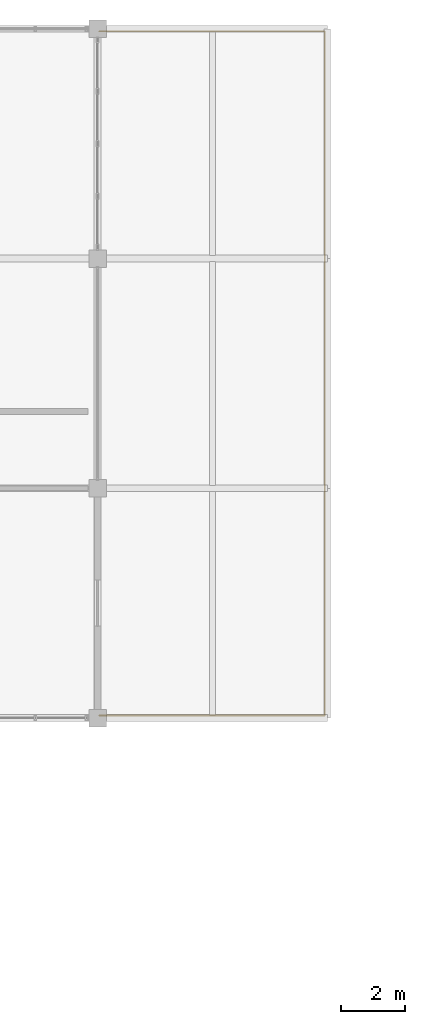
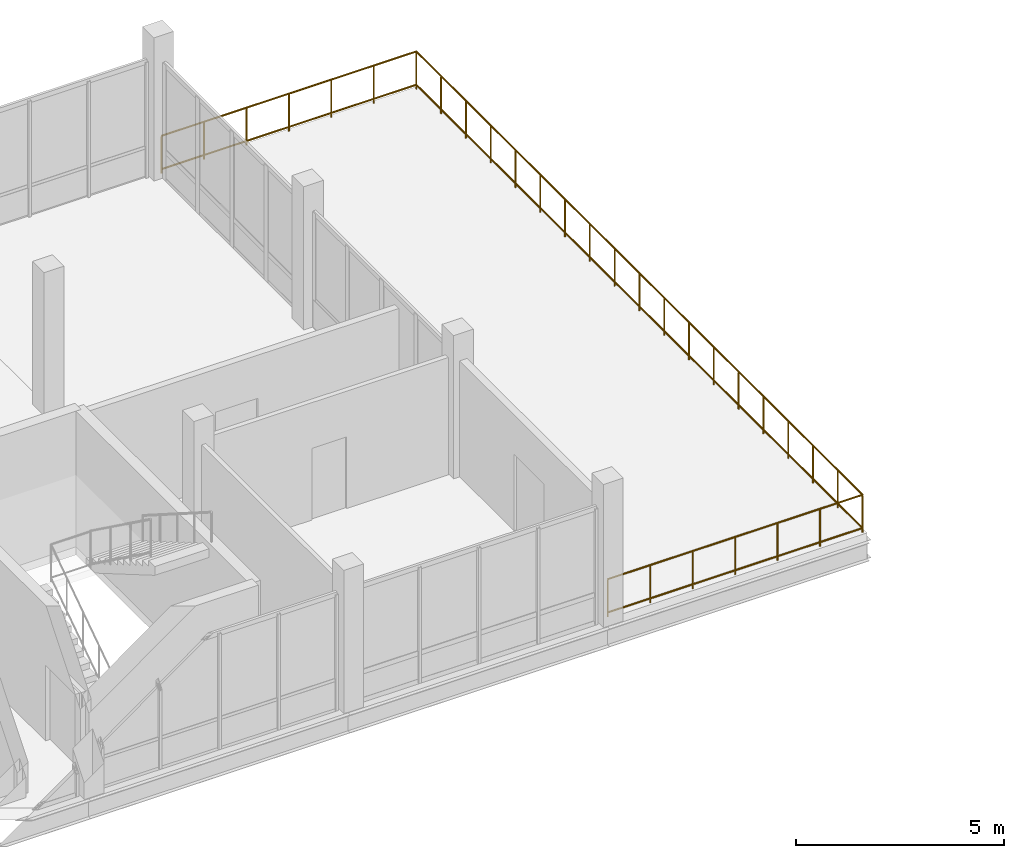
# One storey, part 47 of 47: 1 railing.
"""IFC4 building model written with IfcOpenShell, lengths in metres."""

from ifc_helpers import new_model, si_unit, direction, frame, origin, origin_2d, place, context, subcontext, project, spatial, circle, extrude, material, type_object, element, save


model = new_model("IFC4")

# Units and contexts
model_context = context("Model", 3, precision=1e-05, world=origin(), true_north=direction((0.0, 1.0)))
body_context = subcontext(model_context, "Body", "Model", "MODEL_VIEW")
ifc_project = project(units=[si_unit("LENGTHUNIT", "METRE"), si_unit("AREAUNIT", "SQUARE_METRE"), si_unit("VOLUMEUNIT", "CUBIC_METRE"), si_unit("PLANEANGLEUNIT", "RADIAN"), si_unit("MASSUNIT", "GRAM", prefix="KILO")], contexts=[model_context])

# Site, building, storey
site_placement = place(None, origin())
site = spatial("IfcSite", under=ifc_project, at=site_placement, CompositionType="ELEMENT")
building_placement = place(site_placement, origin())
building = spatial("IfcBuilding", under=site, at=building_placement, Name="Yarey Park Central Fire Station", CompositionType="ELEMENT")
storey_placement = place(building_placement, frame((0.0, 0.0, 18.0)))
storey = spatial("IfcBuildingStorey", under=building, at=storey_placement, Name="L05", CompositionType="ELEMENT", Elevation=18.0)

# Railing
ifc_material = material(Name="Stainless Steel AISI 316L", Category="steel")
railing_type = type_object("IfcRailingType", Name="EXT_RAIL_GUARD112", PredefinedType="BALUSTRADE", material=ifc_material)
railing_placement = place(storey_placement, frame((151.25, 93.679931640625, 0.0)))
element("IfcRailing", 1, at=railing_placement, inside=storey, type_object=railing_type, Name="GRD_EXT_L05_DISP_TER", PredefinedType="BALUSTRADE", context=body_context, shape_type="SweptSolid", body=[
    extrude(circle(Radius=0.02392578125, at=origin_2d()), frame((0.0, 0.0, 1.09619140625), z_axis=(1.0, 0.0, 0.0), x_axis=(0.0, 1.0, 0.0)), (0.0, 0.0, 1.0), 7.070068359375),
    extrude(circle(Radius=0.02392578125, at=origin_2d()), frame((0.0, 0.0, 0.1201171875), z_axis=(1.0, 0.0, 0.0), x_axis=(0.0, 1.0, 0.0)), (0.0, 0.0, 1.0), 7.070068359375),
    extrude(circle(Radius=0.02392578125, at=origin_2d()), frame((7.070068359375, 0.0, 1.09619140625), z_axis=(0.0, 1.0, 0.0), x_axis=(-1.0, 0.0, 0.0)), (0.0, 0.0, 1.0), 21.440185546875),
    extrude(circle(Radius=0.02392578125, at=origin_2d()), frame((7.070068359375, 0.0, 0.1201171875), z_axis=(0.0, 1.0, 0.0), x_axis=(-1.0, 0.0, 0.0)), (0.0, 0.0, 1.0), 21.440185546875),
    extrude(circle(Radius=0.02392578125, at=origin_2d()), frame((7.070068359375, 21.440185546875, 1.09619140625), z_axis=(-1.0, 0.0, 0.0), x_axis=(0.0, -1.0, 0.0)), (0.0, 0.0, 1.0), 7.070068359375),
    extrude(circle(Radius=0.02392578125, at=origin_2d()), frame((7.070068359375, 21.440185546875, 0.1201171875), z_axis=(-1.0, 0.0, 0.0), x_axis=(0.0, -1.0, 0.0)), (0.0, 0.0, 1.0), 7.070068359375),
    extrude(circle(Radius=0.02099609375, at=origin_2d()), origin(), (0.0, 0.0, 1.0), 1.072021484375),
    extrude(circle(Radius=0.02099609375, at=origin_2d()), frame((1.17822265625, 0.0, 0.0)), (0.0, 0.0, 1.0), 1.072021484375),
    extrude(circle(Radius=0.02099609375, at=origin_2d()), frame((2.356689453125, 0.0, 0.0)), (0.0, 0.0, 1.0), 1.072021484375),
    extrude(circle(Radius=0.02099609375, at=origin_2d()), frame((3.53515625, 0.0, 0.0)), (0.0, 0.0, 1.0), 1.072021484375),
    extrude(circle(Radius=0.02099609375, at=origin_2d()), frame((4.71337890625, 0.0, 0.0)), (0.0, 0.0, 1.0), 1.072021484375),
    extrude(circle(Radius=0.02099609375, at=origin_2d()), frame((5.8916015625, 0.0, 0.0)), (0.0, 0.0, 1.0), 1.072021484375),
    extrude(circle(Radius=0.02099609375, at=origin_2d()), frame((7.070068359375, 0.0, 0.0)), (0.0, 0.0, 1.0), 1.072021484375),
    extrude(circle(Radius=0.02099609375, at=origin_2d()), frame((7.070068359375, 1.191162109375, 0.0)), (0.0, 0.0, 1.0), 1.072021484375),
    extrude(circle(Radius=0.02099609375, at=origin_2d()), frame((7.070068359375, 2.38232421875, 0.0)), (0.0, 0.0, 1.0), 1.072021484375),
    extrude(circle(Radius=0.02099609375, at=origin_2d()), frame((7.070068359375, 3.5732421875, 0.0)), (0.0, 0.0, 1.0), 1.072021484375),
    extrude(circle(Radius=0.02099609375, at=origin_2d()), frame((7.070068359375, 4.764404296875, 0.0)), (0.0, 0.0, 1.0), 1.072021484375),
    extrude(circle(Radius=0.02099609375, at=origin_2d()), frame((7.070068359375, 5.95556640625, 0.0)), (0.0, 0.0, 1.0), 1.072021484375),
    extrude(circle(Radius=0.02099609375, at=origin_2d()), frame((7.070068359375, 7.146728515625, 0.0)), (0.0, 0.0, 1.0), 1.072021484375),
    extrude(circle(Radius=0.02099609375, at=origin_2d()), frame((7.070068359375, 8.337890625, 0.0)), (0.0, 0.0, 1.0), 1.072021484375),
    extrude(circle(Radius=0.02099609375, at=origin_2d()), frame((7.070068359375, 9.529052734375, 0.0)), (0.0, 0.0, 1.0), 1.072021484375),
    extrude(circle(Radius=0.02099609375, at=origin_2d()), frame((7.070068359375, 10.72021484375, 0.0)), (0.0, 0.0, 1.0), 1.072021484375),
    extrude(circle(Radius=0.02099609375, at=origin_2d()), frame((7.070068359375, 11.9111328125, 0.0)), (0.0, 0.0, 1.0), 1.072021484375),
    extrude(circle(Radius=0.02099609375, at=origin_2d()), frame((7.070068359375, 13.102294921875, 0.0)), (0.0, 0.0, 1.0), 1.072021484375),
    extrude(circle(Radius=0.02099609375, at=origin_2d()), frame((7.070068359375, 14.29345703125, 0.0)), (0.0, 0.0, 1.0), 1.072021484375),
    extrude(circle(Radius=0.02099609375, at=origin_2d()), frame((7.070068359375, 15.484619140625, 0.0)), (0.0, 0.0, 1.0), 1.072021484375),
    extrude(circle(Radius=0.02099609375, at=origin_2d()), frame((7.070068359375, 16.67578125, 0.0)), (0.0, 0.0, 1.0), 1.072021484375),
    extrude(circle(Radius=0.02099609375, at=origin_2d()), frame((7.070068359375, 17.86669921875, 0.0)), (0.0, 0.0, 1.0), 1.072021484375),
    extrude(circle(Radius=0.02099609375, at=origin_2d()), frame((7.070068359375, 19.057861328125, 0.0)), (0.0, 0.0, 1.0), 1.072021484375),
    extrude(circle(Radius=0.02099609375, at=origin_2d()), frame((7.070068359375, 20.2490234375, 0.0)), (0.0, 0.0, 1.0), 1.072021484375),
    extrude(circle(Radius=0.02099609375, at=origin_2d()), frame((7.070068359375, 21.440185546875, 0.0)), (0.0, 0.0, 1.0), 1.072021484375),
    extrude(circle(Radius=0.02099609375, at=origin_2d()), frame((5.8916015625, 21.440185546875, 0.0)), (0.0, 0.0, 1.0), 1.072021484375),
    extrude(circle(Radius=0.02099609375, at=origin_2d()), frame((4.71337890625, 21.440185546875, 0.0)), (0.0, 0.0, 1.0), 1.072021484375),
    extrude(circle(Radius=0.02099609375, at=origin_2d()), frame((3.53515625, 21.440185546875, 0.0)), (0.0, 0.0, 1.0), 1.072021484375),
    extrude(circle(Radius=0.02099609375, at=origin_2d()), frame((2.356689453125, 21.440185546875, 0.0)), (0.0, 0.0, 1.0), 1.072021484375),
    extrude(circle(Radius=0.02099609375, at=origin_2d()), frame((1.17822265625, 21.440185546875, 0.0)), (0.0, 0.0, 1.0), 1.072021484375),
    extrude(circle(Radius=0.02099609375, at=origin_2d()), frame((0.0, 21.440185546875, 0.0)), (0.0, 0.0, 1.0), 1.072021484375),
])

save(model, "model.ifc")
